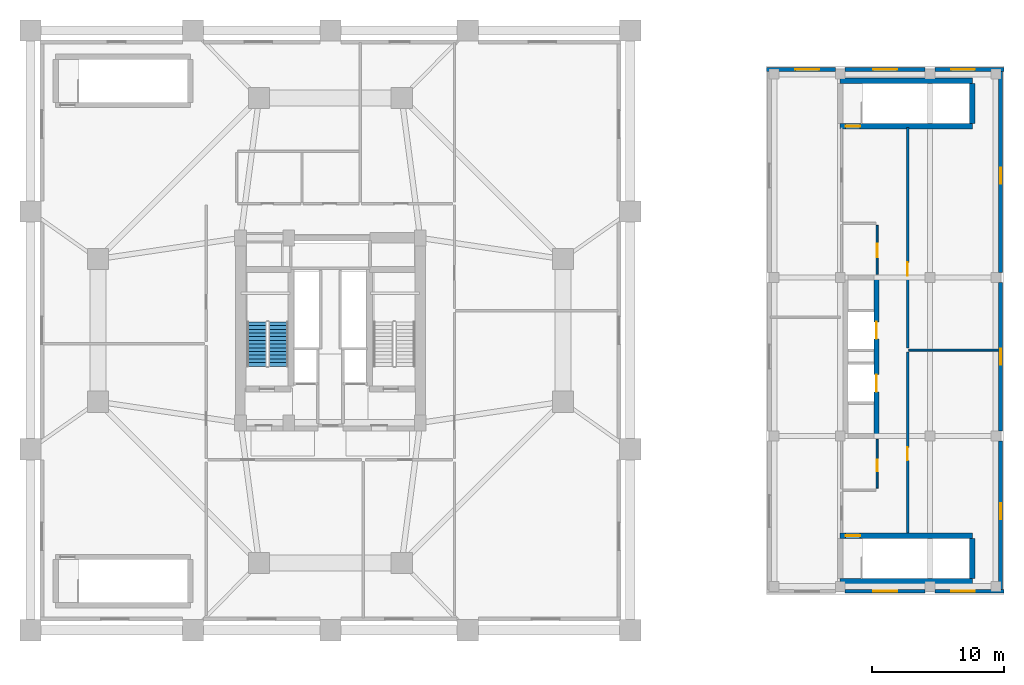
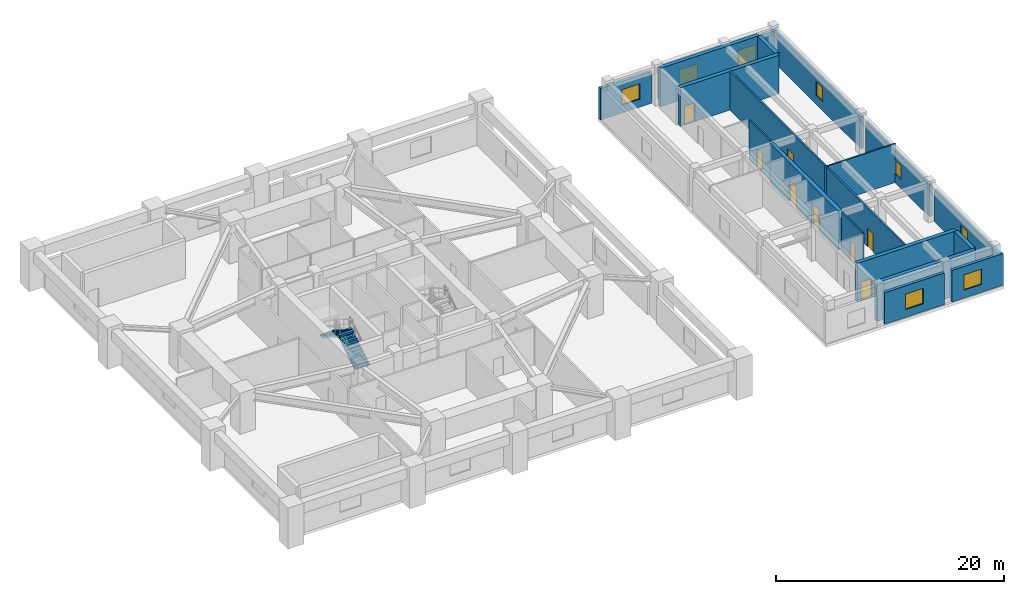
# One storey, part 5 of 8: 20 walls, 8 doors, 8 windows, 2 stair flights, 16 openings, 1 element without a shape of its own.
"""IFC4 building model written with IfcOpenShell, lengths in metres."""

from ifc_helpers import new_model, si_unit, direction, frame, frame_2d, origin, place, context, subcontext, project, spatial, polyline, rectangle, outline, extrude, source, transform, mapped, material, layer, layer_set, type_object, element, fill, aggregate, save


model = new_model("IFC4")

# Units and contexts
model_context = context("Model", 3, precision=1e-05, world=origin(), true_north=direction((0.0, 1.0)))
body_context = subcontext(model_context, "Body", "Model", "MODEL_VIEW")
ifc_project = project(units=[si_unit("LENGTHUNIT", "METRE"), si_unit("AREAUNIT", "SQUARE_METRE"), si_unit("VOLUMEUNIT", "CUBIC_METRE"), si_unit("PLANEANGLEUNIT", "RADIAN"), si_unit("MASSUNIT", "GRAM", prefix="KILO")], contexts=[model_context])

# Site, building, storey
site_placement = place(None, origin())
site = spatial("IfcSite", under=ifc_project, at=site_placement, CompositionType="ELEMENT")
building_placement = place(site_placement, origin())
building = spatial("IfcBuilding", under=site, at=building_placement, Name="Veraguas Prism Commons", CompositionType="ELEMENT")
storey_placement = place(building_placement, frame((0.0, 0.0, 18.39990234375)))
storey = spatial("IfcBuildingStorey", under=building, at=storey_placement, Name="L04", CompositionType="ELEMENT", Elevation=18.39990234375)

# Wall, openings, doors
ifc_material_1 = material(Name="Concrete C50/60", Category="concrete")
ifc_layer_1 = layer(ifc_material_1, 0.39990234375, Name="Clinic and Mid Core Shear Wall RC 400", Category="concrete")
ifc_layer_set_1 = layer_set([ifc_layer_1], Name="Concrete C50/60")
wall_type_1 = type_object("IfcWallType", Name="Clinic and Mid Core Shear Wall RC 400", PredefinedType="SHEAR", material=ifc_layer_set_1)
wall_1_placement = place(storey_placement, frame((65.35009765625, 16.0, 0.0), z_axis=(0.0, 0.0, 1.0), x_axis=(0.0, 1.0, 0.0)))
wall_1 = element("IfcWall", 1, at=wall_1_placement, inside=storey, type_object=wall_type_1, Name="Health Centre Lift Core Front Shear Wall L04", PredefinedType="SHEAR", context=body_context, shape_type="SweptSolid", body=[
    extrude(rectangle(XDim=12.0, YDim=0.39990234375, at=frame_2d((6.0, 0.0))), origin(), (0.0, 0.0, 1.0), 4.14013671875),
])
opening_1_placement = place(wall_1_placement, frame((3.35009765625, 0.0, 0.0)))
opening_1 = element("IfcOpeningElement", 2, at=opening_1_placement, cuts=wall_1, Name="Opening LD-02", PredefinedType="OPENING", context=body_context, shape_type="SweptSolid", body=[
    extrude(rectangle(XDim=1.300048828125, YDim=2.25, at=frame_2d((0.64990234375, 1.125))), frame((0.0, 0.2099609375, 0.0), z_axis=(0.0, -1.0, 0.0), x_axis=(1.0, 0.0, 0.0)), (0.0, 0.0, 1.0), 0.419921875),
])
opening_2_placement = place(wall_1_placement, frame((7.35009765625, 0.0, 0.0)))
opening_2 = element("IfcOpeningElement", 3, at=opening_2_placement, cuts=wall_1, Name="Opening LD-02", PredefinedType="OPENING", context=body_context, shape_type="SweptSolid", body=[
    extrude(rectangle(XDim=1.300048828125, YDim=2.25, at=frame_2d((0.64990234375, 1.125))), frame((0.0, 0.2099609375, 0.0), z_axis=(0.0, -1.0, 0.0), x_axis=(1.0, 0.0, 0.0)), (0.0, 0.0, 1.0), 0.419921875),
])
ifc_material_2 = material(Name="Stainless steel AISI 316", Category="steel")
door_type_1 = type_object("IfcDoorType", Name="Firefighting Lift Sliding Landing Door 1300x2250", OperationType="NOTDEFINED", PredefinedType="DOOR", material=ifc_material_2)
shared_shape_1 = source(origin(), body_context, "Body", "SweptSolid", [
    extrude(rectangle(XDim=1.300048828125, YDim=2.25, at=frame_2d((0.64990234375, 1.125))), frame((0.0, 0.02490234375, 0.0), z_axis=(0.0, -1.0, 0.0), x_axis=(1.0, 0.0, 0.0)), (0.0, 0.0, 1.0), 0.050048828125),
])
door_1_placement = place(opening_1_placement, origin())
door_1 = element("IfcDoor", 4, at=door_1_placement, inside=storey, type_object=door_type_1, Name="Health Centre Lift CL-1 Door L04", OperationType="SLIDING_TO_LEFT", OverallHeight=2.25, OverallWidth=1.300048828125, PredefinedType="DOOR", context=body_context, shape_type="MappedRepresentation", body=[
    mapped(shared_shape_1, transform((0.0, 0.0, 0.0), scale=1.0)),
])
fill(opening_1, door_1)
door_2_placement = place(opening_2_placement, origin())
door_2 = element("IfcDoor", 5, at=door_2_placement, inside=storey, type_object=door_type_1, Name="Health Centre Lift CL-2 Door L04", OperationType="SLIDING_TO_LEFT", OverallHeight=2.25, OverallWidth=1.300048828125, PredefinedType="DOOR", context=body_context, shape_type="MappedRepresentation", body=[
    mapped(shared_shape_1, transform((0.0, 0.0, 0.0), scale=1.0)),
])
fill(opening_2, door_2)

# Wall
wall_2_placement = place(storey_placement, frame((62.60009765625, 5.0, 0.0), z_axis=(0.0, 0.0, 1.0), x_axis=(1.0, 0.0, 0.0)))
element("IfcWall", 6, at=wall_2_placement, inside=storey, type_object=wall_type_1, Name="ST-H1 South Shear Wall L04", PredefinedType="SHEAR", context=body_context, shape_type="SweptSolid", body=[
    extrude(rectangle(XDim=10.0, YDim=0.39990234375, at=frame_2d((5.0, 0.0))), origin(), (0.0, 0.0, 1.0), 4.14013671875),
])

# Wall, opening, door
wall_3_placement = place(storey_placement, frame((62.60009765625, 8.449951171875, 0.0), z_axis=(0.0, 0.0, 1.0), x_axis=(1.0, 0.0, 0.0)))
wall_3 = element("IfcWall", 7, at=wall_3_placement, inside=storey, type_object=wall_type_1, Name="ST-H1 North Shear Wall L04", PredefinedType="SHEAR", context=body_context, shape_type="SweptSolid", body=[
    extrude(rectangle(XDim=10.0, YDim=0.39990234375, at=frame_2d((5.0, 0.0))), origin(), (0.0, 0.0, 1.0), 4.14013671875),
])
opening_3_placement = place(wall_3_placement, frame((0.39990234375, 0.0, 0.0)))
opening_3 = element("IfcOpeningElement", 8, at=opening_3_placement, cuts=wall_3, Name="Opening DR-05", PredefinedType="OPENING", context=body_context, shape_type="SweptSolid", body=[
    extrude(rectangle(XDim=1.10009765625, YDim=2.030029296875, at=frame_2d((0.550048828125, 1.01513671875))), frame((0.0, 0.2099609375, 0.0), z_axis=(0.0, -1.0, 0.0), x_axis=(1.0, 0.0, 0.0)), (0.0, 0.0, 1.0), 0.419921875),
])
ifc_material_3 = material(Name="Steel fire-rated door assembly", Category="steel")
door_type_2 = type_object("IfcDoorType", Name="Protected Stair and Refuge Fire Door 1100x2030", OperationType="NOTDEFINED", PredefinedType="DOOR", material=ifc_material_3)
shared_shape_2 = source(origin(), body_context, "Body", "SweptSolid", [
    extrude(rectangle(XDim=1.10009765625, YDim=2.030029296875, at=frame_2d((0.550048828125, 1.01513671875))), frame((0.0, 0.02490234375, 0.0), z_axis=(0.0, -1.0, 0.0), x_axis=(1.0, 0.0, 0.0)), (0.0, 0.0, 1.0), 0.050048828125),
])
door_3_placement = place(opening_3_placement, origin())
door_3 = element("IfcDoor", 9, at=door_3_placement, inside=storey, type_object=door_type_2, Name="Health Centre Stair ST-H1 Door L04", OperationType="SINGLE_SWING_LEFT", OverallHeight=2.030029296875, OverallWidth=1.10009765625, PredefinedType="DOOR", context=body_context, shape_type="MappedRepresentation", body=[
    mapped(shared_shape_2, transform((0.0, 0.0, 0.0), scale=1.0)),
])
fill(opening_3, door_3)

# Wall
wall_4_placement = place(storey_placement, frame((72.60009765625, 5.199951171875, 0.0), z_axis=(0.0, 0.0, 1.0), x_axis=(0.0, 1.0, 0.0)))
element("IfcWall", 10, at=wall_4_placement, inside=storey, type_object=wall_type_1, Name="ST-H1 East Shear Wall L04", PredefinedType="SHEAR", context=body_context, shape_type="SweptSolid", body=[
    extrude(rectangle(XDim=3.050048828125, YDim=0.39990234375, at=frame_2d((1.52490234375, 0.0))), origin(), (0.0, 0.0, 1.0), 4.14013671875),
])

# Wall, opening, door
wall_5_placement = place(storey_placement, frame((62.60009765625, 39.4599609375, 0.0), z_axis=(0.0, 0.0, 1.0), x_axis=(1.0, 0.0, 0.0)))
wall_5 = element("IfcWall", 11, at=wall_5_placement, inside=storey, type_object=wall_type_1, Name="ST-H2 South Shear Wall L04", PredefinedType="SHEAR", context=body_context, shape_type="SweptSolid", body=[
    extrude(rectangle(XDim=10.0, YDim=0.39990234375, at=frame_2d((5.0, 0.0))), origin(), (0.0, 0.0, 1.0), 4.14013671875),
])
opening_4_placement = place(wall_5_placement, frame((0.39990234375, 0.0, 0.0)))
opening_4 = element("IfcOpeningElement", 12, at=opening_4_placement, cuts=wall_5, Name="Opening DR-05", PredefinedType="OPENING", context=body_context, shape_type="SweptSolid", body=[
    extrude(rectangle(XDim=1.10009765625, YDim=2.030029296875, at=frame_2d((0.550048828125, 1.01513671875))), frame((0.0, 0.2099609375, 0.0), z_axis=(0.0, -1.0, 0.0), x_axis=(1.0, 0.0, 0.0)), (0.0, 0.0, 1.0), 0.419921875),
])
door_4_placement = place(opening_4_placement, origin())
door_4 = element("IfcDoor", 13, at=door_4_placement, inside=storey, type_object=door_type_2, Name="Health Centre Stair ST-H2 Door L04", OperationType="SINGLE_SWING_RIGHT", OverallHeight=2.030029296875, OverallWidth=1.10009765625, PredefinedType="DOOR", context=body_context, shape_type="MappedRepresentation", body=[
    mapped(shared_shape_2, transform((0.0, 0.0, 0.0), scale=1.0)),
])
fill(opening_4, door_4)

# Walls
wall_6_placement = place(storey_placement, frame((62.60009765625, 42.909912109375, 0.0), z_axis=(0.0, 0.0, 1.0), x_axis=(1.0, 0.0, 0.0)))
element("IfcWall", 14, at=wall_6_placement, inside=storey, type_object=wall_type_1, Name="ST-H2 North Shear Wall L04", PredefinedType="SHEAR", context=body_context, shape_type="SweptSolid", body=[
    extrude(rectangle(XDim=10.0, YDim=0.39990234375, at=frame_2d((5.0, 0.0))), origin(), (0.0, 0.0, 1.0), 4.14013671875),
])
wall_7_placement = place(storey_placement, frame((72.60009765625, 39.659912109375, 0.0), z_axis=(0.0, 0.0, 1.0), x_axis=(0.0, 1.0, 0.0)))
element("IfcWall", 15, at=wall_7_placement, inside=storey, type_object=wall_type_1, Name="ST-H2 East Shear Wall L04", PredefinedType="SHEAR", context=body_context, shape_type="SweptSolid", body=[
    extrude(rectangle(XDim=3.050048828125, YDim=0.39990234375, at=frame_2d((1.52490234375, 0.0))), origin(), (0.0, 0.0, 1.0), 4.14013671875),
])

# Wall, opening, door
ifc_material_4 = material(Name="Autoclaved aerated masonry block 10 MPa", Category="masonry")
ifc_layer_2 = layer(ifc_material_4, 0.179931640625, Name="Corridor and Inter-Tenancy Partition 180", Category="masonry")
ifc_layer_set_2 = layer_set([ifc_layer_2], Name="Autoclaved aerated masonry block 10 MPa")
wall_type_2 = type_object("IfcWallType", Name="Corridor and Inter-Tenancy Partition 180", PredefinedType="PARTITIONING", material=ifc_layer_set_2)
wall_8_placement = place(storey_placement, frame((67.699951171875, 8.64990234375, 0.0), z_axis=(0.0, 0.0, 1.0), x_axis=(0.0, 1.0, 0.0)))
wall_8 = element("IfcWall", 16, at=wall_8_placement, inside=storey, type_object=wall_type_2, Name="WL-L04-HCPT08", PredefinedType="PARTITIONING", context=body_context, shape_type="SweptSolid", body=[
    extrude(rectangle(XDim=13.7001953125, YDim=0.179931640625, at=frame_2d((6.85009765625, 0.0))), origin(), (0.0, 0.0, 1.0), 4.14013671875),
])
opening_5_placement = place(wall_8_placement, frame((5.5, 0.0, 0.0)))
opening_5 = element("IfcOpeningElement", 17, at=opening_5_placement, cuts=wall_8, Name="Opening DR-13", PredefinedType="OPENING", context=body_context, shape_type="SweptSolid", body=[
    extrude(rectangle(XDim=1.0, YDim=2.010009765625, at=frame_2d((0.5, 1.0048828125))), frame((0.0, 0.099853515625, 0.0), z_axis=(0.0, -1.0, 0.0), x_axis=(1.0, 0.0, 0.0)), (0.0, 0.0, 1.0), 0.199951171875),
])
door_type_3 = type_object("IfcDoorType", Name="Core Accessible WC and Clinic Fire Door 1000x2010", OperationType="NOTDEFINED", PredefinedType="DOOR", material=ifc_material_3)
shared_shape_3 = source(origin(), body_context, "Body", "SweptSolid", [
    extrude(rectangle(XDim=1.0, YDim=2.010009765625, at=frame_2d((0.5, 1.0048828125))), frame((0.0, 0.02490234375, 0.0), z_axis=(0.0, -1.0, 0.0), x_axis=(1.0, 0.0, 0.0)), (0.0, 0.0, 1.0), 0.050048828125),
])
door_5_placement = place(opening_5_placement, origin())
door_5 = element("IfcDoor", 18, at=door_5_placement, inside=storey, type_object=door_type_3, Name="Public Health Education Seminar Hall Door", OperationType="SINGLE_SWING_RIGHT", OverallHeight=2.010009765625, OverallWidth=1.0, PredefinedType="DOOR", context=body_context, shape_type="MappedRepresentation", body=[
    mapped(shared_shape_3, transform((0.0, 0.0, 0.0), scale=1.0)),
])
fill(opening_5, door_5)

wall_9_placement = place(storey_placement, frame((67.699951171875, 22.64990234375, 0.0), z_axis=(0.0, 0.0, 1.0), x_axis=(0.0, 1.0, 0.0)))
wall_9 = element("IfcWall", 19, at=wall_9_placement, inside=storey, type_object=wall_type_2, Name="WL-L04-HCPT09", PredefinedType="PARTITIONING", context=body_context, shape_type="SweptSolid", body=[
    extrude(rectangle(XDim=16.7001953125, YDim=0.179931640625, at=frame_2d((8.35009765625, 0.0))), origin(), (0.0, 0.0, 1.0), 4.14013671875),
])
opening_6_placement = place(wall_9_placement, frame((5.5, 0.0, 0.0)))
opening_6 = element("IfcOpeningElement", 20, at=opening_6_placement, cuts=wall_9, Name="Opening DR-13", PredefinedType="OPENING", context=body_context, shape_type="SweptSolid", body=[
    extrude(rectangle(XDim=1.0, YDim=2.010009765625, at=frame_2d((0.5, 1.0048828125))), frame((0.0, 0.099853515625, 0.0), z_axis=(0.0, -1.0, 0.0), x_axis=(1.0, 0.0, 0.0)), (0.0, 0.0, 1.0), 0.199951171875),
])
door_6_placement = place(opening_6_placement, origin())
door_6 = element("IfcDoor", 21, at=door_6_placement, inside=storey, type_object=door_type_3, Name="Clinic Medical Administration Office Door", OperationType="SINGLE_SWING_LEFT", OverallHeight=2.010009765625, OverallWidth=1.0, PredefinedType="DOOR", context=body_context, shape_type="MappedRepresentation", body=[
    mapped(shared_shape_3, transform((0.0, 0.0, 0.0), scale=1.0)),
])
fill(opening_6, door_6)

# Wall, opening, window
ifc_material_5 = material(Name="Precast concrete C40/50", Category="concrete")
ifc_layer_3 = layer(ifc_material_5, 0.300048828125, Name="External Precast Facade Wall 300", Category="concrete")
ifc_layer_set_3 = layer_set([ifc_layer_3], Name="Precast concrete C40/50")
wall_type_3 = type_object("IfcWallType", Name="External Precast Facade Wall 300", PredefinedType="SOLIDWALL", material=ifc_layer_set_3)
wall_10_placement = place(storey_placement, frame((62.97509765625, 4.25, 0.0), z_axis=(0.0, 0.0, 1.0), x_axis=(1.0, 0.0, 0.0)))
wall_10 = element("IfcWall", 22, at=wall_10_placement, inside=storey, type_object=wall_type_3, Name="Health Centre South Wall L04-02", PredefinedType="SOLIDWALL", context=body_context, shape_type="SweptSolid", body=[
    extrude(rectangle(XDim=6.0498046875, YDim=0.300048828125, at=frame_2d((3.02490234375, 0.0))), origin(), (0.0, 0.0, 1.0), 3.39013671875),
])
opening_7_placement = place(wall_10_placement, frame((2.125, 0.0, 0.85009765625)))
opening_7 = element("IfcOpeningElement", 23, at=opening_7_placement, cuts=wall_10, Name="Opening WN-01", PredefinedType="OPENING", context=body_context, shape_type="SweptSolid", body=[
    extrude(rectangle(XDim=1.800048828125, YDim=1.64990234375, at=frame_2d((0.89990234375, 0.824951171875))), frame((0.0, 0.159912109375, 0.0), z_axis=(0.0, -1.0, 0.0), x_axis=(1.0, 0.0, 0.0)), (0.0, 0.0, 1.0), 0.320068359375),
])
ifc_material_6 = material(Name="Laminated low-e glass", Category="glass")
window_type_1 = type_object("IfcWindowType", Name="Clinic Consulting Double Window 1800x1650", PartitioningType="DOUBLE_PANEL_VERTICAL", PredefinedType="WINDOW", material=ifc_material_6)
shared_shape_4 = source(origin(), body_context, "Body", "SweptSolid", [
    extrude(rectangle(XDim=1.800048828125, YDim=1.64990234375, at=frame_2d((0.89990234375, 0.824951171875))), frame((0.0, 0.030029296875, 0.0), z_axis=(0.0, -1.0, 0.0), x_axis=(1.0, 0.0, 0.0)), (0.0, 0.0, 1.0), 0.06005859375),
])
window_1_placement = place(opening_7_placement, origin())
window_1 = element("IfcWindow", 24, at=window_1_placement, inside=storey, type_object=window_type_1, Name="Health Centre South Window L04-02", OverallHeight=1.64990234375, OverallWidth=1.800048828125, PartitioningType="DOUBLE_PANEL_VERTICAL", PredefinedType="WINDOW", context=body_context, shape_type="MappedRepresentation", body=[
    mapped(shared_shape_4, transform((0.0, 0.0, 0.0), scale=1.0)),
])
fill(opening_7, window_1)

wall_11_placement = place(storey_placement, frame((69.77490234375, 4.25, 0.0), z_axis=(0.0, 0.0, 1.0), x_axis=(1.0, 0.0, 0.0)))
wall_11 = element("IfcWall", 25, at=wall_11_placement, inside=storey, type_object=wall_type_3, Name="Health Centre South Wall L04-03", PredefinedType="SOLIDWALL", context=body_context, shape_type="SweptSolid", body=[
    extrude(rectangle(XDim=5.22509765625, YDim=0.300048828125, at=frame_2d((2.612548828125, 0.0))), origin(), (0.0, 0.0, 1.0), 3.39013671875),
])
opening_8_placement = place(wall_11_placement, frame((1.22509765625, 0.0, 0.85009765625)))
opening_8 = element("IfcOpeningElement", 26, at=opening_8_placement, cuts=wall_11, Name="Opening WN-01", PredefinedType="OPENING", context=body_context, shape_type="SweptSolid", body=[
    extrude(rectangle(XDim=1.800048828125, YDim=1.64990234375, at=frame_2d((0.89990234375, 0.824951171875))), frame((0.0, 0.159912109375, 0.0), z_axis=(0.0, -1.0, 0.0), x_axis=(1.0, 0.0, 0.0)), (0.0, 0.0, 1.0), 0.320068359375),
])
window_2_placement = place(opening_8_placement, origin())
window_2 = element("IfcWindow", 27, at=window_2_placement, inside=storey, type_object=window_type_1, Name="Health Centre South Window L04-03", OverallHeight=1.64990234375, OverallWidth=1.800048828125, PartitioningType="DOUBLE_PANEL_VERTICAL", PredefinedType="WINDOW", context=body_context, shape_type="MappedRepresentation", body=[
    mapped(shared_shape_4, transform((0.0, 0.0, 0.0), scale=1.0)),
])
fill(opening_8, window_2)

wall_12_placement = place(storey_placement, frame((75.0, 43.75, 0.0), z_axis=(0.0, 0.0, 1.0), x_axis=(-1.0, 0.0, 0.0)))
wall_12 = element("IfcWall", 28, at=wall_12_placement, inside=storey, type_object=wall_type_3, Name="Health Centre North Wall L04-01", PredefinedType="SOLIDWALL", context=body_context, shape_type="SweptSolid", body=[
    extrude(rectangle(XDim=5.22509765625, YDim=0.300048828125, at=frame_2d((2.612548828125, 0.0))), origin(), (0.0, 0.0, 1.0), 3.39013671875),
])
opening_9_placement = place(wall_12_placement, frame((2.199951171875, 0.0, 0.85009765625)))
opening_9 = element("IfcOpeningElement", 29, at=opening_9_placement, cuts=wall_12, Name="Opening WN-01", PredefinedType="OPENING", context=body_context, shape_type="SweptSolid", body=[
    extrude(rectangle(XDim=1.800048828125, YDim=1.64990234375, at=frame_2d((0.89990234375, 0.824951171875))), frame((0.0, 0.159912109375, 0.0), z_axis=(0.0, -1.0, 0.0), x_axis=(1.0, 0.0, 0.0)), (0.0, 0.0, 1.0), 0.320068359375),
])
window_3_placement = place(opening_9_placement, origin())
window_3 = element("IfcWindow", 30, at=window_3_placement, inside=storey, type_object=window_type_1, Name="Health Centre North Window L04-01", OverallHeight=1.64990234375, OverallWidth=1.800048828125, PartitioningType="DOUBLE_PANEL_VERTICAL", PredefinedType="WINDOW", context=body_context, shape_type="MappedRepresentation", body=[
    mapped(shared_shape_4, transform((0.0, 0.0, 0.0), scale=1.0)),
])
fill(opening_9, window_3)

wall_13_placement = place(storey_placement, frame((69.02490234375, 43.75, 0.0), z_axis=(0.0, 0.0, 1.0), x_axis=(-1.0, 0.0, 0.0)))
wall_13 = element("IfcWall", 31, at=wall_13_placement, inside=storey, type_object=wall_type_3, Name="Health Centre North Wall L04-02", PredefinedType="SOLIDWALL", context=body_context, shape_type="SweptSolid", body=[
    extrude(rectangle(XDim=6.0498046875, YDim=0.300048828125, at=frame_2d((3.02490234375, 0.0))), origin(), (0.0, 0.0, 1.0), 3.39013671875),
])
opening_10_placement = place(wall_13_placement, frame((2.125, 0.0, 0.85009765625)))
opening_10 = element("IfcOpeningElement", 32, at=opening_10_placement, cuts=wall_13, Name="Opening WN-01", PredefinedType="OPENING", context=body_context, shape_type="SweptSolid", body=[
    extrude(rectangle(XDim=1.800048828125, YDim=1.64990234375, at=frame_2d((0.89990234375, 0.824951171875))), frame((0.0, 0.159912109375, 0.0), z_axis=(0.0, -1.0, 0.0), x_axis=(1.0, 0.0, 0.0)), (0.0, 0.0, 1.0), 0.320068359375),
])
window_4_placement = place(opening_10_placement, origin())
window_4 = element("IfcWindow", 33, at=window_4_placement, inside=storey, type_object=window_type_1, Name="Health Centre North Window L04-02", OverallHeight=1.64990234375, OverallWidth=1.800048828125, PartitioningType="DOUBLE_PANEL_VERTICAL", PredefinedType="WINDOW", context=body_context, shape_type="MappedRepresentation", body=[
    mapped(shared_shape_4, transform((0.0, 0.0, 0.0), scale=1.0)),
])
fill(opening_10, window_4)

wall_14_placement = place(storey_placement, frame((62.22509765625, 43.75, 0.0), z_axis=(0.0, 0.0, 1.0), x_axis=(-1.0, 0.0, 0.0)))
wall_14 = element("IfcWall", 34, at=wall_14_placement, inside=storey, type_object=wall_type_3, Name="Health Centre North Wall L04-03", PredefinedType="SOLIDWALL", context=body_context, shape_type="SweptSolid", body=[
    extrude(rectangle(XDim=5.22509765625, YDim=0.300048828125, at=frame_2d((2.612548828125, 0.0))), origin(), (0.0, 0.0, 1.0), 3.39013671875),
])
opening_11_placement = place(wall_14_placement, frame((1.22509765625, 0.0, 0.85009765625)))
opening_11 = element("IfcOpeningElement", 35, at=opening_11_placement, cuts=wall_14, Name="Opening WN-01", PredefinedType="OPENING", context=body_context, shape_type="SweptSolid", body=[
    extrude(rectangle(XDim=1.800048828125, YDim=1.64990234375, at=frame_2d((0.89990234375, 0.824951171875))), frame((0.0, 0.159912109375, 0.0), z_axis=(0.0, -1.0, 0.0), x_axis=(1.0, 0.0, 0.0)), (0.0, 0.0, 1.0), 0.320068359375),
])
window_5_placement = place(opening_11_placement, origin())
window_5 = element("IfcWindow", 36, at=window_5_placement, inside=storey, type_object=window_type_1, Name="Health Centre North Window L04-03", OverallHeight=1.64990234375, OverallWidth=1.800048828125, PartitioningType="DOUBLE_PANEL_VERTICAL", PredefinedType="WINDOW", context=body_context, shape_type="MappedRepresentation", body=[
    mapped(shared_shape_4, transform((0.0, 0.0, 0.0), scale=1.0)),
])
fill(opening_11, window_5)

wall_15_placement = place(storey_placement, frame((74.75, 4.39990234375, 0.0), z_axis=(0.0, 0.0, 1.0), x_axis=(0.0, 1.0, 0.0)))
wall_15 = element("IfcWall", 37, at=wall_15_placement, inside=storey, type_object=wall_type_3, Name="Health Centre East Wall L04-01", PredefinedType="SOLIDWALL", context=body_context, shape_type="SweptSolid", body=[
    extrude(rectangle(XDim=11.22509765625, YDim=0.300048828125, at=frame_2d((5.612548828125, 0.0))), origin(), (0.0, 0.0, 1.0), 3.39013671875),
])
opening_12_placement = place(wall_15_placement, frame((5.300048828125, 0.0, 0.949951171875)))
opening_12 = element("IfcOpeningElement", 38, at=opening_12_placement, cuts=wall_15, Name="Opening WN-03", PredefinedType="OPENING", context=body_context, shape_type="SweptSolid", body=[
    extrude(rectangle(XDim=1.199951171875, YDim=1.5, at=frame_2d((0.60009765625, 0.75))), frame((0.0, 0.159912109375, 0.0), z_axis=(0.0, -1.0, 0.0), x_axis=(1.0, 0.0, 0.0)), (0.0, 0.0, 1.0), 0.320068359375),
])
window_type_2 = type_object("IfcWindowType", Name="Clinic Treatment Window 1200x1500", PartitioningType="SINGLE_PANEL", PredefinedType="WINDOW", material=ifc_material_6)
shared_shape_5 = source(origin(), body_context, "Body", "SweptSolid", [
    extrude(rectangle(XDim=1.199951171875, YDim=1.5, at=frame_2d((0.60009765625, 0.75))), frame((0.0, 0.030029296875, 0.0), z_axis=(0.0, -1.0, 0.0), x_axis=(1.0, 0.0, 0.0)), (0.0, 0.0, 1.0), 0.06005859375),
])
window_6_placement = place(opening_12_placement, origin())
window_6 = element("IfcWindow", 39, at=window_6_placement, inside=storey, type_object=window_type_2, Name="Health Centre East Window L04-01", OverallHeight=1.5, OverallWidth=1.199951171875, PartitioningType="SINGLE_PANEL", PredefinedType="WINDOW", context=body_context, shape_type="MappedRepresentation", body=[
    mapped(shared_shape_5, transform((0.0, 0.0, 0.0), scale=1.0)),
])
fill(opening_12, window_6)

wall_16_placement = place(storey_placement, frame((74.75, 16.375, 0.0), z_axis=(0.0, 0.0, 1.0), x_axis=(0.0, 1.0, 0.0)))
wall_16 = element("IfcWall", 40, at=wall_16_placement, inside=storey, type_object=wall_type_3, Name="Health Centre East Wall L04-02", PredefinedType="SOLIDWALL", context=body_context, shape_type="SweptSolid", body=[
    extrude(rectangle(XDim=11.25, YDim=0.300048828125, at=frame_2d((5.625, 0.0))), origin(), (0.0, 0.0, 1.0), 3.39013671875),
])
opening_13_placement = place(wall_16_placement, frame((5.02490234375, 0.0, 0.949951171875)))
opening_13 = element("IfcOpeningElement", 41, at=opening_13_placement, cuts=wall_16, Name="Opening WN-03", PredefinedType="OPENING", context=body_context, shape_type="SweptSolid", body=[
    extrude(rectangle(XDim=1.199951171875, YDim=1.5, at=frame_2d((0.60009765625, 0.75))), frame((0.0, 0.159912109375, 0.0), z_axis=(0.0, -1.0, 0.0), x_axis=(1.0, 0.0, 0.0)), (0.0, 0.0, 1.0), 0.320068359375),
])
window_7_placement = place(opening_13_placement, origin())
window_7 = element("IfcWindow", 42, at=window_7_placement, inside=storey, type_object=window_type_2, Name="Health Centre East Window L04-02", OverallHeight=1.5, OverallWidth=1.199951171875, PartitioningType="SINGLE_PANEL", PredefinedType="WINDOW", context=body_context, shape_type="MappedRepresentation", body=[
    mapped(shared_shape_5, transform((0.0, 0.0, 0.0), scale=1.0)),
])
fill(opening_13, window_7)

wall_17_placement = place(storey_placement, frame((74.75, 28.375, 0.0), z_axis=(0.0, 0.0, 1.0), x_axis=(0.0, 1.0, 0.0)))
wall_17 = element("IfcWall", 43, at=wall_17_placement, inside=storey, type_object=wall_type_3, Name="Health Centre East Wall L04-03", PredefinedType="SOLIDWALL", context=body_context, shape_type="SweptSolid", body=[
    extrude(rectangle(XDim=15.22509765625, YDim=0.300048828125, at=frame_2d((7.612548828125, 0.0))), origin(), (0.0, 0.0, 1.0), 3.39013671875),
])
opening_14_placement = place(wall_17_placement, frame((6.72509765625, 0.0, 0.949951171875)))
opening_14 = element("IfcOpeningElement", 44, at=opening_14_placement, cuts=wall_17, Name="Opening WN-03", PredefinedType="OPENING", context=body_context, shape_type="SweptSolid", body=[
    extrude(rectangle(XDim=1.199951171875, YDim=1.5, at=frame_2d((0.60009765625, 0.75))), frame((0.0, 0.159912109375, 0.0), z_axis=(0.0, -1.0, 0.0), x_axis=(1.0, 0.0, 0.0)), (0.0, 0.0, 1.0), 0.320068359375),
])
window_8_placement = place(opening_14_placement, origin())
window_8 = element("IfcWindow", 45, at=window_8_placement, inside=storey, type_object=window_type_2, Name="Health Centre East Window L04-03", OverallHeight=1.5, OverallWidth=1.199951171875, PartitioningType="SINGLE_PANEL", PredefinedType="WINDOW", context=body_context, shape_type="MappedRepresentation", body=[
    mapped(shared_shape_5, transform((0.0, 0.0, 0.0), scale=1.0)),
])
fill(opening_14, window_8)

# Wall, opening, door
ifc_material_7 = material(Name="Lightweight acoustic gypsum board")
ifc_layer_4 = layer(ifc_material_7, 0.14990234375, Name="Wet Room and Clinic Acoustic Partition 150")
ifc_layer_set_4 = layer_set([ifc_layer_4], Name="Lightweight acoustic gypsum board")
wall_type_4 = type_object("IfcWallType", Name="Wet Room and Clinic Acoustic Partition 150", PredefinedType="PARTITIONING", material=ifc_layer_set_4)
wall_18_placement = place(storey_placement, frame((65.39990234375, 12.050048828125, 0.0), z_axis=(0.0, 0.0, 1.0), x_axis=(0.0, 1.0, 0.0)))
wall_18 = element("IfcWall", 46, at=wall_18_placement, inside=storey, type_object=wall_type_4, Name="WL-L04-HCPT02", PredefinedType="PARTITIONING", context=body_context, shape_type="SweptSolid", body=[
    extrude(rectangle(XDim=3.699951171875, YDim=0.14990234375, at=frame_2d((1.85009765625, 0.0))), origin(), (0.0, 0.0, 1.0), 4.14013671875),
])
opening_15_placement = place(wall_18_placement, frame((1.300048828125, 0.0, 0.0)))
opening_15 = element("IfcOpeningElement", 47, at=opening_15_placement, cuts=wall_18, Name="Opening DR-12", PredefinedType="OPENING", context=body_context, shape_type="SweptSolid", body=[
    extrude(rectangle(XDim=0.860107421875, YDim=2.010009765625, at=frame_2d((0.43017578125, 1.0048828125))), frame((0.0, 0.0849609375, 0.0), z_axis=(0.0, -1.0, 0.0), x_axis=(1.0, 0.0, 0.0)), (0.0, 0.0, 1.0), 0.169921875),
])
door_type_4 = type_object("IfcDoorType", Name="Core WC Fire Door 860x2010", OperationType="NOTDEFINED", PredefinedType="DOOR", material=ifc_material_3)
shared_shape_6 = source(origin(), body_context, "Body", "SweptSolid", [
    extrude(rectangle(XDim=0.860107421875, YDim=2.010009765625, at=frame_2d((0.43017578125, 1.0048828125))), frame((0.0, 0.02490234375, 0.0), z_axis=(0.0, -1.0, 0.0), x_axis=(1.0, 0.0, 0.0)), (0.0, 0.0, 1.0), 0.050048828125),
])
door_7_placement = place(opening_15_placement, origin())
door_7 = element("IfcDoor", 48, at=door_7_placement, inside=storey, type_object=door_type_4, Name="Clinic WC Door L04", OperationType="SINGLE_SWING_RIGHT", OverallHeight=2.010009765625, OverallWidth=0.860107421875, PredefinedType="DOOR", context=body_context, shape_type="MappedRepresentation", body=[
    mapped(shared_shape_6, transform((0.0, 0.0, 0.0), scale=1.0)),
])
fill(opening_15, door_7)

wall_19_placement = place(storey_placement, frame((65.39990234375, 28.25, 0.0), z_axis=(0.0, 0.0, 1.0), x_axis=(0.0, 1.0, 0.0)))
wall_19 = element("IfcWall", 49, at=wall_19_placement, inside=storey, type_object=wall_type_4, Name="WL-L04-HCPT04", PredefinedType="PARTITIONING", context=body_context, shape_type="SweptSolid", body=[
    extrude(rectangle(XDim=3.699951171875, YDim=0.14990234375, at=frame_2d((1.85009765625, 0.0))), origin(), (0.0, 0.0, 1.0), 4.14013671875),
])
opening_16_placement = place(wall_19_placement, frame((1.300048828125, 0.0, 0.0)))
opening_16 = element("IfcOpeningElement", 50, at=opening_16_placement, cuts=wall_19, Name="Opening DR-13", PredefinedType="OPENING", context=body_context, shape_type="SweptSolid", body=[
    extrude(rectangle(XDim=1.0, YDim=2.010009765625, at=frame_2d((0.5, 1.0048828125))), frame((0.0, 0.0849609375, 0.0), z_axis=(0.0, -1.0, 0.0), x_axis=(1.0, 0.0, 0.0)), (0.0, 0.0, 1.0), 0.169921875),
])
door_8_placement = place(opening_16_placement, origin())
door_8 = element("IfcDoor", 51, at=door_8_placement, inside=storey, type_object=door_type_3, Name="Clinic Accessible WC Door L04", OperationType="SINGLE_SWING_LEFT", OverallHeight=2.010009765625, OverallWidth=1.0, PredefinedType="DOOR", context=body_context, shape_type="MappedRepresentation", body=[
    mapped(shared_shape_3, transform((0.0, 0.0, 0.0), scale=1.0)),
])
fill(opening_16, door_8)

# Wall
wall_20_placement = place(storey_placement, frame((67.780029296875, 22.5, 0.0), z_axis=(0.0, 0.0, 1.0), x_axis=(1.0, 0.0, 0.0)))
element("IfcWall", 52, at=wall_20_placement, inside=storey, type_object=wall_type_4, Name="WL-L04-HCPT10", PredefinedType="PARTITIONING", context=body_context, shape_type="SweptSolid", body=[
    extrude(rectangle(XDim=6.89990234375, YDim=0.14990234375, at=frame_2d((3.449951171875, 0.0))), origin(), (0.0, 0.0, 1.0), 4.14013671875),
])

# Stair, stair flights
ifc_material_8 = material(Name="Precast concrete C45/55", Category="concrete")
stair_type = type_object("IfcStairType", Name="Dogleg Core Stair 1480W 26R 03", PredefinedType="HALF_TURN_STAIR", material=ifc_material_8)
stair_placement = place(storey_placement, origin())
stair = element("IfcStair", 53, at=stair_placement, inside=storey, type_object=stair_type, Name="Protected Exit Stair ST-01 L04", PredefinedType="HALF_TURN_STAIR")
stair_flight_type = type_object("IfcStairFlightType", Name="Precast Stair Flight 1480W 13R 03", PredefinedType="STRAIGHT", material=ifc_material_8)
stair_flight_1_placement = place(storey_placement, frame((20.06005859375, 21.280029296875, 0.0), z_axis=(0.0, 0.0, 1.0), x_axis=(0.0, 1.0, 0.0)))
stair_flight_1 = element("IfcStairFlight", 54, at=stair_flight_1_placement, type_object=stair_flight_type, Name="ST-03 Flight 1", NumberOfRisers=13, NumberOfTreads=12, PredefinedType="STRAIGHT", RiserHeight=0.169230769, TreadLength=0.28, context=body_context, shape_type="SweptSolid", body=[
    extrude(outline(polyline([(0.0, 0.0), (0.0, 0.169189453125), (0.280029296875, 0.169189453125), (0.280029296875, 0.33837890625), (0.56005859375, 0.33837890625), (0.56005859375, 0.5078125), (0.840087890625, 0.5078125), (0.840087890625, 0.677001953125), (1.1201171875, 0.677001953125), (1.1201171875, 0.84619140625), (1.39990234375, 0.84619140625), (1.39990234375, 1.015380859375), (1.679931640625, 1.015380859375), (1.679931640625, 1.1845703125), (1.9599609375, 1.1845703125), (1.9599609375, 1.353759765625), (2.239990234375, 1.353759765625), (2.239990234375, 1.523193359375), (2.52001953125, 1.523193359375), (2.52001953125, 1.6923828125), (2.800048828125, 1.6923828125), (2.800048828125, 1.861572265625), (3.080078125, 1.861572265625), (3.080078125, 2.03076171875), (3.360107421875, 2.03076171875), (3.360107421875, 2.199951171875), (3.360107421875, 1.855712890625), (0.289794921875, 0.0), (0.0, 0.0)])), frame((0.0, 0.739990234375, 0.0), z_axis=(0.0, -1.0, 0.0), x_axis=(1.0, 0.0, 0.0)), (0.0, 0.0, 1.0), 1.47998046875),
])
stair_flight_2_placement = place(storey_placement, frame((18.429931640625, 24.639892578125, 2.2001953125), z_axis=(0.0, 0.0, 1.0), x_axis=(0.0, -1.0, 0.0)))
stair_flight_2 = element("IfcStairFlight", 55, at=stair_flight_2_placement, type_object=stair_flight_type, Name="ST-03 Flight 2", NumberOfRisers=13, NumberOfTreads=12, PredefinedType="STRAIGHT", RiserHeight=0.169230769, TreadLength=0.28, context=body_context, shape_type="SweptSolid", body=[
    extrude(outline(polyline([(0.0, 0.0), (0.0, 0.169189453125), (0.280029296875, 0.169189453125), (0.280029296875, 0.33837890625), (0.56005859375, 0.33837890625), (0.56005859375, 0.5078125), (0.840087890625, 0.5078125), (0.840087890625, 0.677001953125), (1.1201171875, 0.677001953125), (1.1201171875, 0.84619140625), (1.39990234375, 0.84619140625), (1.39990234375, 1.015380859375), (1.679931640625, 1.015380859375), (1.679931640625, 1.1845703125), (1.9599609375, 1.1845703125), (1.9599609375, 1.353759765625), (2.239990234375, 1.353759765625), (2.239990234375, 1.523193359375), (2.52001953125, 1.523193359375), (2.52001953125, 1.6923828125), (2.800048828125, 1.6923828125), (2.800048828125, 1.861572265625), (3.080078125, 1.861572265625), (3.080078125, 2.03076171875), (3.360107421875, 2.03076171875), (3.360107421875, 2.199951171875), (3.360107421875, 1.855712890625), (0.289794921875, 0.0), (0.0, 0.0)])), frame((0.0, 0.739990234375, 0.0), z_axis=(0.0, -1.0, 0.0), x_axis=(1.0, 0.0, 0.0)), (0.0, 0.0, 1.0), 1.47998046875),
])
aggregate(stair, [stair_flight_1, stair_flight_2])

save(model, "model.ifc")
